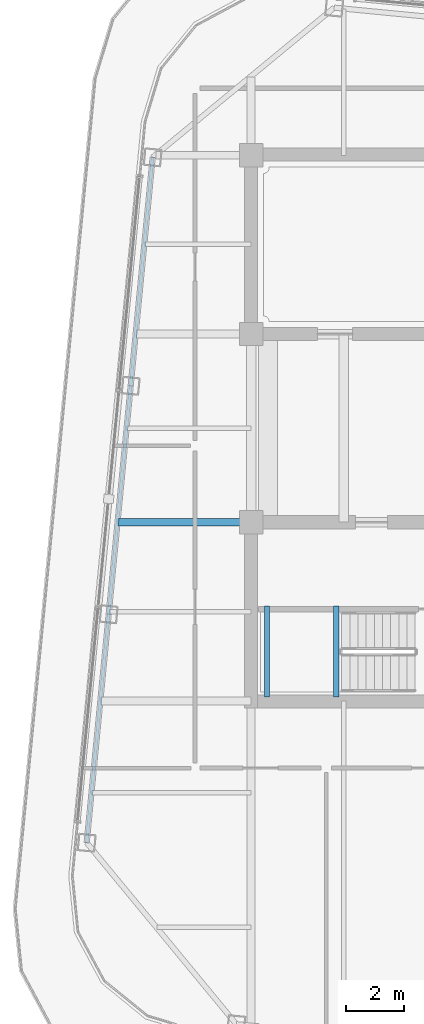
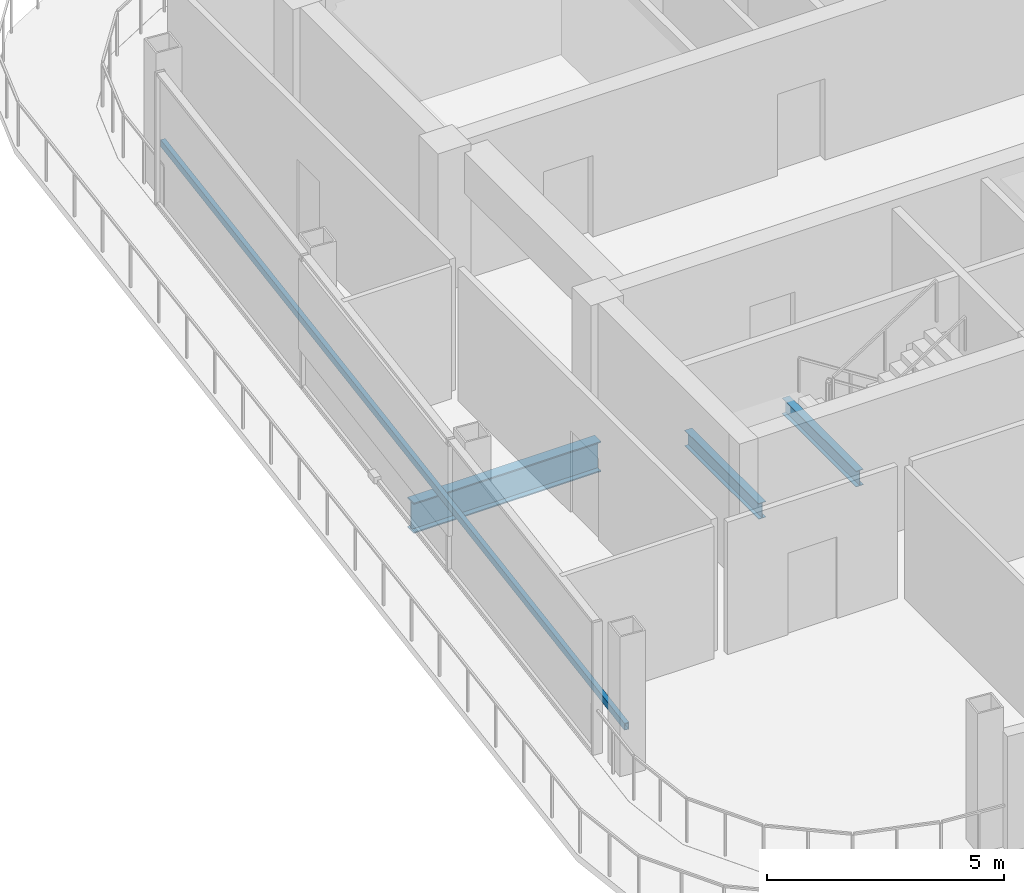
# One storey, part 5 of 23: 3 beams, 1 member.
"""IFC4 building model written with IfcOpenShell, lengths in metres."""

from ifc_helpers import new_model, si_unit, direction, frame, origin, origin_2d, place, context, subcontext, project, spatial, hollow_rectangle, i_section, extrude, material, material_profile, profile_set, type_object, element, save


model = new_model("IFC4")

# Units and contexts
model_context = context("Model", 3, precision=1e-05, world=origin(), true_north=direction((0.0, 1.0)))
body_context = subcontext(model_context, "Body", "Model", "MODEL_VIEW")
ifc_project = project(units=[si_unit("LENGTHUNIT", "METRE"), si_unit("AREAUNIT", "SQUARE_METRE"), si_unit("VOLUMEUNIT", "CUBIC_METRE"), si_unit("PLANEANGLEUNIT", "RADIAN"), si_unit("MASSUNIT", "GRAM", prefix="KILO")], contexts=[model_context])

# Site, building, storey
site_placement = place(None, origin())
site = spatial("IfcSite", under=ifc_project, at=site_placement, CompositionType="ELEMENT")
building_placement = place(site_placement, origin())
building = spatial("IfcBuilding", under=site, at=building_placement, Name="Qhalaya Broadcast Tower", CompositionType="ELEMENT")
storey_placement = place(building_placement, frame((0.0, 0.0, 276.949951171875)))
storey = spatial("IfcBuildingStorey", under=building, at=storey_placement, Name="L82", CompositionType="ELEMENT", Elevation=276.949951171875)

# Member
ifc_material_1 = material(Name="Fired Architectural Terracotta", Category="masonry")
ifc_material_profile_1 = material_profile(ifc_material_1, hollow_rectangle(XDim=0.110107421875, YDim=0.179931640625, WallThickness=0.01806640625, at=origin_2d()), Name="TB-BAG 110x180x18")
ifc_profile_set_1 = profile_set([ifc_material_profile_1], Name="Fired Architectural Terracotta")
member_type = type_object("IfcMemberType", Name="Fired Terracotta Facade Baguette Member TB1", PredefinedType="USERDEFINED", material=ifc_profile_set_1)
member_placement = place(storey_placement, frame((-12.74853515625, 9.883056640625, 1.02294921875), z_axis=(-0.095845460331, -0.995396226502, 0.0), x_axis=(0.995396226502, -0.095845460331, 0.0)))
element("IfcMember", 1, at=member_placement, inside=storey, type_object=member_type, Name="L82 Terracotta Baguette Feature Rail W", ObjectType="BAGUETTE", PredefinedType="USERDEFINED", context=body_context, shape_type="SweptSolid", body=[
    extrude(hollow_rectangle(XDim=0.110107421875, YDim=0.179931640625, WallThickness=0.01806640625, at=origin_2d()), origin(), (0.0, 0.0, 1.0), 23.60009765625),
])

# Beams
ifc_material_2 = material(Name="Structural Steel ASTM A992 Grade 50", Category="steel")
ifc_material_profile_2 = material_profile(ifc_material_2, i_section(OverallWidth=0.26708984375, OverallDepth=0.780029296875, WebThickness=0.0166015625, FlangeThickness=0.030029296875, at=origin_2d()), Name="W30X148")
ifc_profile_set_2 = profile_set([ifc_material_profile_2], Name="Structural Steel ASTM A992 Grade 50")
beam_type_1 = type_object("IfcBeamType", Name="Neck & Crown Primary Girder PG5", PredefinedType="USERDEFINED", material=ifc_profile_set_2)
beam_placement = place(storey_placement, frame((-13.9326171875, -2.625, -0.579833984375), z_axis=(1.0, 0.0, 0.0), x_axis=(0.0, 1.0, 0.0)))
element("IfcBeam", 2, at=beam_placement, inside=storey, type_object=beam_type_1, Name="L82 PG5 L82-PGYW2-1", ObjectType="GIRDER", PredefinedType="USERDEFINED", context=body_context, shape_type="SweptSolid", body=[
    extrude(i_section(OverallWidth=0.26708984375, OverallDepth=0.780029296875, WebThickness=0.0166015625, FlangeThickness=0.030029296875, at=origin_2d()), origin(), (0.0, 0.0, 1.0), 4.5576171875),
])
ifc_material_profile_3 = material_profile(ifc_material_2, i_section(OverallWidth=0.177978515625, OverallDepth=0.406005859375, WebThickness=0.0078125, FlangeThickness=0.0126953125, at=origin_2d()), Name="W16X40")
ifc_profile_set_3 = profile_set([ifc_material_profile_3], Name="Structural Steel ASTM A992 Grade 50")
beam_type_2 = type_object("IfcBeamType", Name="Upper Perimeter Spandrel Beam SP2", PredefinedType="SPANDREL", material=ifc_profile_set_3)
for number, where, z_axis, x_axis, name in (
    (3, (-8.830078125, -8.6201171875, 1.39697265625), (0.0, 1.0, 0.0), (-1.0, 0.0, 0.0), "L82 ST-2 Half-Landing Bearer Beam 1"),
    (4, (-6.455078125, -8.6201171875, 1.39697265625), (0.0, 1.0, 0.0), (-1.0, 0.0, 0.0), "L82 ST-2 Half-Landing Bearer Beam 2"),
):
    element("IfcBeam", number, at=place(storey_placement, frame(where, z_axis=z_axis, x_axis=x_axis)), inside=storey, type_object=beam_type_2, Name=name, PredefinedType="SPANDREL", context=body_context, shape_type="SweptSolid", body=[
        extrude(i_section(OverallWidth=0.177978515625, OverallDepth=0.406005859375, WebThickness=0.0078125, FlangeThickness=0.0126953125, at=origin_2d()), origin(), (0.0, 0.0, 1.0), 3.1201171875),
    ])

save(model, "model.ifc")
